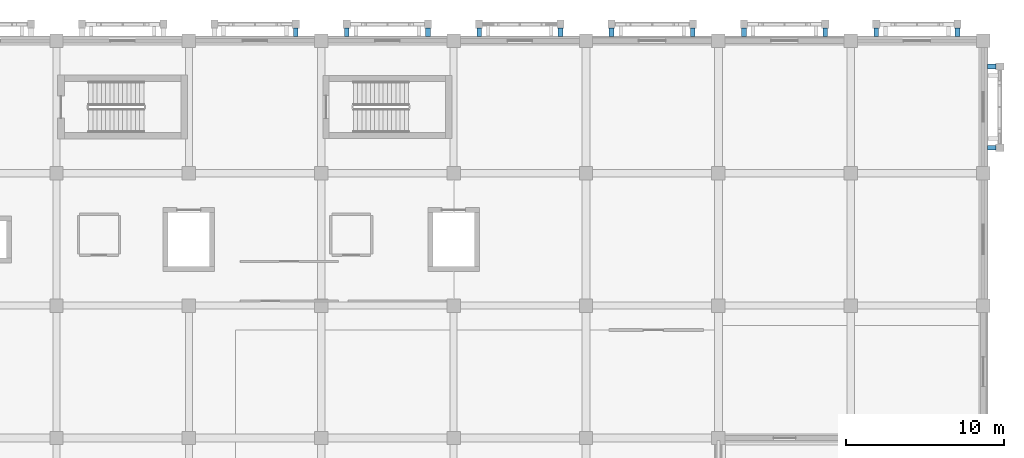
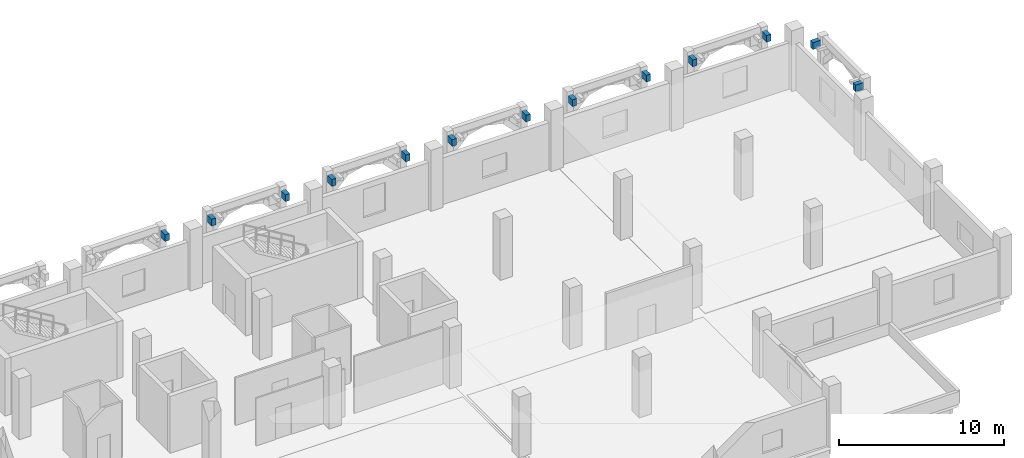
# One storey, part 86 of 137: 13 beams.
"""IFC4 building model written with IfcOpenShell, lengths in metres."""

from ifc_helpers import new_model, si_unit, direction, frame, origin, origin_2d, place, context, subcontext, project, spatial, rectangle, extrude, material, material_profile, profile_set, type_object, element, save


model = new_model("IFC4")

# Units and contexts
model_context = context("Model", 3, precision=1e-05, world=origin(), true_north=direction((0.0, 1.0)))
body_context = subcontext(model_context, "Body", "Model", "MODEL_VIEW")
ifc_project = project(units=[si_unit("LENGTHUNIT", "METRE"), si_unit("AREAUNIT", "SQUARE_METRE"), si_unit("VOLUMEUNIT", "CUBIC_METRE"), si_unit("PLANEANGLEUNIT", "RADIAN"), si_unit("MASSUNIT", "GRAM", prefix="KILO")], contexts=[model_context])

# Site, building, storey
site_placement = place(None, origin())
site = spatial("IfcSite", under=ifc_project, at=site_placement, CompositionType="ELEMENT")
building_placement = place(site_placement, origin())
building = spatial("IfcBuilding", under=site, at=building_placement, Name="Xazarin Passage Department Store", CompositionType="ELEMENT")
storey_placement = place(building_placement, frame((0.0, 0.0, 5.39990234375)))
storey = spatial("IfcBuildingStorey", under=building, at=storey_placement, Name="L01", CompositionType="ELEMENT", Elevation=5.39990234375)

# Beams
ifc_material = material(Name="Concrete C35/45", Category="concrete")
ifc_material_profile = material_profile(ifc_material, rectangle(XDim=0.300048828125, YDim=0.5, at=origin_2d()), Name="RC 300x500")
ifc_profile_set = profile_set([ifc_material_profile], Name="Concrete C35/45")
beam_type = type_object("IfcBeamType", Name="STR-BM-LN300x500", PredefinedType="LINTEL", material=ifc_profile_set)
for number, where, z_axis, x_axis, name in (
    (1, (125.97998046875, 110.280029296875, 3.9501953125), (0.0, 1.0, 0.0), (-1.0, 0.0, 0.0), "L01 V4 Colonnade Tie Rib 042R"),
    (2, (129.219970703125, 110.280029296875, 3.9501953125), (0.0, 1.0, 0.0), (-1.0, 0.0, 0.0), "L01 V4 Colonnade Tie Rib 043L"),
    (3, (134.3798828125, 110.280029296875, 3.9501953125), (0.0, 1.0, 0.0), (-1.0, 0.0, 0.0), "L01 V4 Colonnade Tie Rib 043R"),
    (4, (137.6201171875, 110.280029296875, 3.9501953125), (0.0, 1.0, 0.0), (-1.0, 0.0, 0.0), "L01 V4 Colonnade Tie Rib 044L"),
    (5, (142.780029296875, 110.280029296875, 3.9501953125), (0.0, 1.0, 0.0), (-1.0, 0.0, 0.0), "L01 V4 Colonnade Tie Rib 044R"),
    (6, (146.02001953125, 110.280029296875, 3.9501953125), (0.0, 1.0, 0.0), (-1.0, 0.0, 0.0), "L01 V4 Colonnade Tie Rib 045L"),
    (7, (151.179931640625, 110.280029296875, 3.9501953125), (0.0, 1.0, 0.0), (-1.0, 0.0, 0.0), "L01 V4 Colonnade Tie Rib 045R"),
    (8, (154.419921875, 110.280029296875, 3.9501953125), (0.0, 1.0, 0.0), (-1.0, 0.0, 0.0), "L01 V4 Colonnade Tie Rib 046L"),
    (9, (159.580078125, 110.280029296875, 3.9501953125), (0.0, 1.0, 0.0), (-1.0, 0.0, 0.0), "L01 V4 Colonnade Tie Rib 046R"),
    (10, (162.820068359375, 110.280029296875, 3.9501953125), (0.0, 1.0, 0.0), (-1.0, 0.0, 0.0), "L01 V4 Colonnade Tie Rib 047L"),
    (11, (167.97998046875, 110.280029296875, 3.9501953125), (0.0, 1.0, 0.0), (-1.0, 0.0, 0.0), "L01 V4 Colonnade Tie Rib 047R"),
    (12, (169.8798828125, 103.219970703125, 3.9501953125), (1.0, 0.0, 0.0), (0.0, 1.0, 0.0), "L01 V4 Colonnade Tie Rib 049L"),
    (13, (169.8798828125, 108.3798828125, 3.9501953125), (1.0, 0.0, 0.0), (0.0, 1.0, 0.0), "L01 V4 Colonnade Tie Rib 049R"),
):
    element("IfcBeam", number, at=place(storey_placement, frame(where, z_axis=z_axis, x_axis=x_axis)), inside=storey, type_object=beam_type, Name=name, PredefinedType="LINTEL", context=body_context, shape_type="SweptSolid", body=[
        extrude(rectangle(XDim=0.300048828125, YDim=0.5, at=origin_2d()), origin(), (0.0, 0.0, 1.0), 0.550048828125),
    ])

save(model, "model.ifc")
